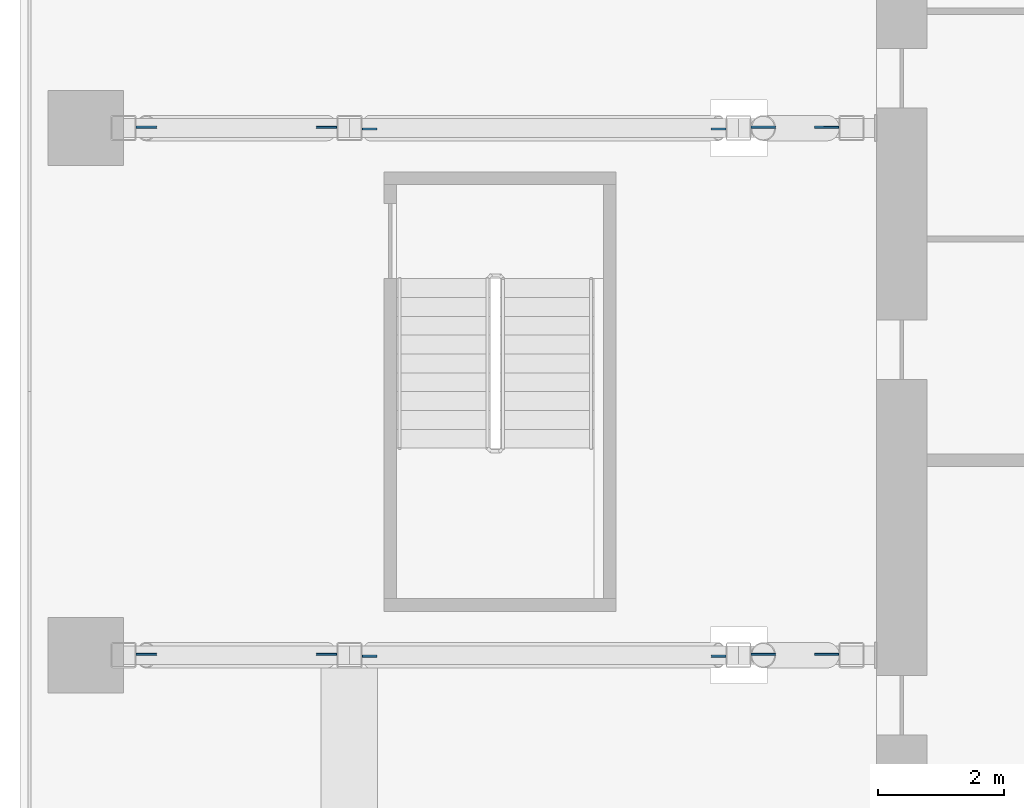
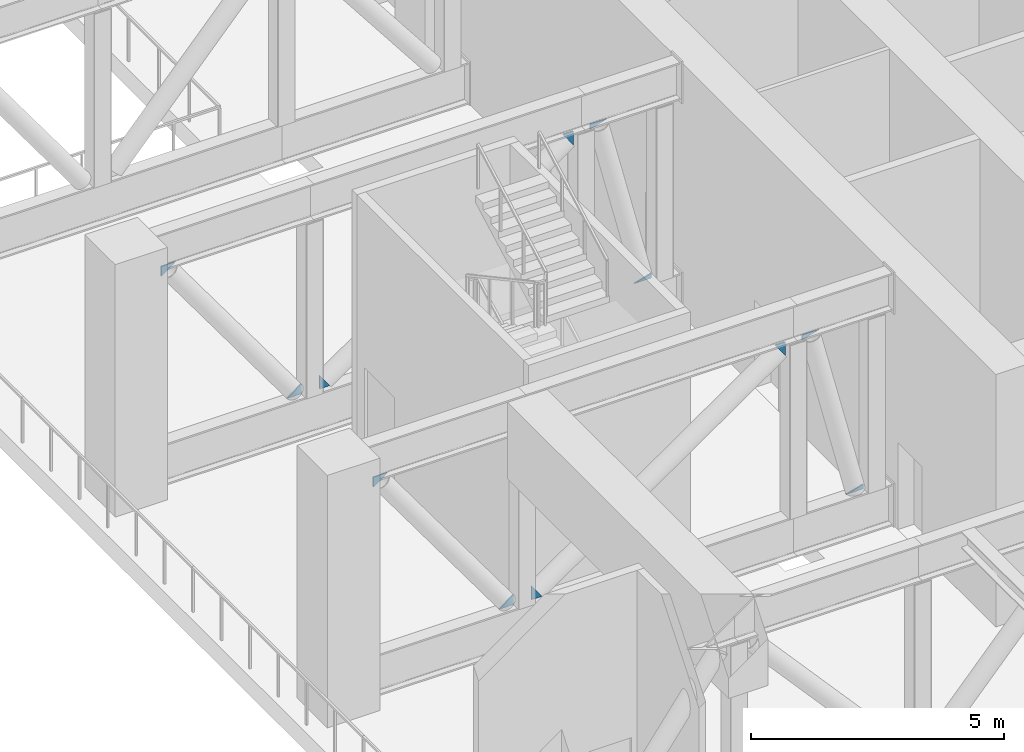
# One storey, part 12 of 23: 12 plates.
"""IFC4 building model written with IfcOpenShell, lengths in metres."""

import ifcopenshell
import ifcopenshell.guid

model = None  # the IFC model being written
_history = None  # IfcOwnerHistory: only IFC2X3 demands one
_inside = {}  # id of a spatial element -> (the spatial element, [elements in it])
_under = {}  # id of a project, library or spatial element -> (it, [spatial elements below it])
_declared = {}  # id of a project -> (the project, [libraries it declares])
_typed = {}  # id of a type object -> (the type object, [elements of that type])
_made_of = {}  # id of a material, layer set ... -> (it, [elements and type objects made of it])


def new_model(schema):
    """Start an empty IFC model of exactly this schema.

    Asked for "IFC4X3", IfcOpenShell would pick the latest addendum, in which some entities
    have other attributes; the version numbers below select the first issue.
    IFC2X3 requires an IfcOwnerHistory on every rooted entity: one is made here for all.
    """
    global model, _history
    if schema == "IFC4X3":
        model = ifcopenshell.file(schema_version=(4, 3, 0, 0))
    else:
        model = ifcopenshell.file(schema=schema)
    _inside.clear()
    _under.clear()
    _declared.clear()
    _typed.clear()
    _made_of.clear()
    _history = None
    if model.schema == "IFC2X3":
        org = make("IfcOrganization", Name="unknown")
        user = make(
            "IfcPersonAndOrganization",
            ThePerson=make("IfcPerson", FamilyName="unknown"),
            TheOrganization=org,
        )
        app = make(
            "IfcApplication",
            ApplicationDeveloper=org,
            Version="unknown",
            ApplicationFullName="unknown",
            ApplicationIdentifier="unknown",
        )
        _history = make(
            "IfcOwnerHistory",
            OwningUser=user,
            OwningApplication=app,
            ChangeAction="ADDED",
            CreationDate=0,
        )
    return model


def make(cls, **values):
    """One entity of the class cls with the attributes given. An attribute that is None is left unset."""
    return model.create_entity(
        cls, **{name: value for name, value in values.items() if value is not None}
    )


def rooted(cls, **values):
    """An entity with a GlobalId (a new one), such as an element, a storey or a relation."""
    return make(cls, GlobalId=ifcopenshell.guid.new(), OwnerHistory=_history, **values)


def si_unit(unit_type, name, prefix=None):
    """IfcSIUnit, for example si_unit("LENGTHUNIT", "METRE", prefix="MILLI")."""
    return make("IfcSIUnit", UnitType=unit_type, Prefix=prefix, Name=name)


def assignment(units):
    """IfcUnitAssignment: the units of a project."""
    return None if units is None else make("IfcUnitAssignment", Units=units)


def point(xyz):
    """IfcCartesianPoint."""
    return None if xyz is None else make("IfcCartesianPoint", Coordinates=xyz)


def direction(xyz):
    """IfcDirection."""
    return None if xyz is None else make("IfcDirection", DirectionRatios=xyz)


def frame(location, z_axis=None, x_axis=None):
    """IfcAxis2Placement3D, a coordinate frame: its origin and axes. An axis left out is left unset."""
    return make(
        "IfcAxis2Placement3D",
        Location=point(location),
        Axis=direction(z_axis),
        RefDirection=direction(x_axis),
    )


def origin():
    """The frame at (0, 0, 0) with its axes left unset."""
    return frame((0.0, 0.0, 0.0))


def place(relative_to, where):
    """IfcLocalPlacement: puts the frame where relative to a parent placement (None: the world)."""
    return make(
        "IfcLocalPlacement", PlacementRelTo=relative_to, RelativePlacement=where
    )


def context(
    kind, dimensions, precision=None, world=None, true_north=None, identifier=None
):
    """IfcGeometricRepresentationContext, for example the 3D "Model" context."""
    return make(
        "IfcGeometricRepresentationContext",
        ContextIdentifier=identifier,
        ContextType=kind,
        CoordinateSpaceDimension=dimensions,
        Precision=precision,
        WorldCoordinateSystem=world,
        TrueNorth=true_north,
    )


def subcontext(parent, identifier, kind, view, scale=None):
    """IfcGeometricRepresentationSubContext, for example "Body" below "Model"."""
    return make(
        "IfcGeometricRepresentationSubContext",
        ContextIdentifier=identifier,
        ContextType=kind,
        ParentContext=parent,
        TargetScale=scale,
        TargetView=view,
    )


def project(units=None, contexts=None):
    """IfcProject with its units and contexts."""
    return rooted(
        "IfcProject",
        Name="project",
        RepresentationContexts=contexts,
        UnitsInContext=assignment(units),
    )


def spatial(cls, under=None, at=None, **own):
    """A site, building, storey or space (cls), placed at a placement, below another one or the project."""
    s = rooted(cls, ObjectPlacement=at, **own)
    if under is not None:
        _under.setdefault(under.id(), (under, []))[1].append(s)
    return s


def polyline(points):
    """IfcPolyline through the points."""
    return make("IfcPolyline", Points=[point(p) for p in points])


def outline(outer, holes=None, kind="AREA"):
    """IfcArbitraryClosedProfileDef: a profile drawn as a closed curve; with holes, ...WithVoids."""
    if holes is None:
        return make("IfcArbitraryClosedProfileDef", ProfileType=kind, OuterCurve=outer)
    return make(
        "IfcArbitraryProfileDefWithVoids",
        ProfileType=kind,
        OuterCurve=outer,
        InnerCurves=holes,
    )


def extrude(swept, where, along, depth):
    """IfcExtrudedAreaSolid: the profile swept, set in the frame where, extruded along a direction by depth."""
    return make(
        "IfcExtrudedAreaSolid",
        SweptArea=swept,
        Position=where,
        ExtrudedDirection=direction(along),
        Depth=depth,
    )


def shape(context_of_items, identifier, shape_type, items):
    """IfcShapeRepresentation: the items that make up one representation, for example the "Body"."""
    return make(
        "IfcShapeRepresentation",
        ContextOfItems=context_of_items,
        RepresentationIdentifier=identifier,
        RepresentationType=shape_type,
        Items=items,
    )


def material(Name=None, Category=None):
    """IfcMaterial."""
    return make("IfcMaterial", Name=Name, Category=Category)


def layer(
    of_material, thickness, ventilated=None, Name=None, Category=None, Priority=None
):
    """IfcMaterialLayer: one layer of a wall or slab, of a material (None: an air gap)."""
    return make(
        "IfcMaterialLayer",
        Material=of_material,
        LayerThickness=thickness,
        IsVentilated=ventilated,
        Name=Name,
        Category=Category,
        Priority=Priority,
    )


def layer_set(layers, Name=None):
    """IfcMaterialLayerSet."""
    return make("IfcMaterialLayerSet", MaterialLayers=layers, LayerSetName=Name)


def made_of(thing, what):
    """Note that an element or type object is made of a material, layer set ...; save() writes the relation."""
    if what is not None:
        _made_of.setdefault(what.id(), (what, []))[1].append(thing)
    return thing


def type_object(cls, material=None, **own):
    """A type object (cls), such as IfcWallType, which elements share."""
    return made_of(rooted(cls, **own), material)


def element(
    cls,
    number,
    at=None,
    inside=None,
    cuts=None,
    type_object=None,
    material=None,
    context=None,
    identifier="Body",
    shape_type=None,
    held_by="IfcProductDefinitionShape",
    body=None,
    shapes=None,
    **own,
):
    """One element of the class cls, such as IfcWall. Its Tag is "e" and its number.

    at: its placement. inside: the storey or other place that contains it. cuts: it is an
    opening in that element (IfcRelVoidsElement). A single representation is given by context,
    identifier, shape_type and body (its items); several are given by shapes. held_by: the class
    of the entity that holds the representations. save() writes the other relations.
    """
    e = rooted(cls, Tag="e%d" % number, ObjectPlacement=at, **own)
    if body is not None:
        shapes = [shape(context, identifier, shape_type, body)]
    if shapes is not None:
        e.Representation = make(held_by, Representations=shapes)
    if inside is not None:
        _inside.setdefault(inside.id(), (inside, []))[1].append(e)
    if cuts is not None:
        rooted(
            "IfcRelVoidsElement", RelatingBuildingElement=cuts, RelatedOpeningElement=e
        )
    if type_object is not None:
        _typed.setdefault(type_object.id(), (type_object, []))[1].append(e)
    return made_of(e, material)


def aggregate(whole, parts):
    """IfcRelAggregates: a whole, such as a stair, and the parts it consists of."""
    return rooted("IfcRelAggregates", RelatingObject=whole, RelatedObjects=parts)


def save(model, path):
    """Write the relations noted so far, then the file.

    IfcRelAggregates (storeys below a building ...), IfcRelContainedInSpatialStructure (elements
    in a storey), IfcRelDefinesByType, IfcRelAssociatesMaterial and IfcRelDeclares: one each for
    every whole, place, type object, material and project.
    """
    for whole, parts in _under.values():
        aggregate(whole, parts)
    for where, things in _inside.values():
        rooted(
            "IfcRelContainedInSpatialStructure",
            RelatedElements=things,
            RelatingStructure=where,
        )
    for kind, things in _typed.values():
        rooted("IfcRelDefinesByType", RelatedObjects=things, RelatingType=kind)
    for what, things in _made_of.values():
        rooted("IfcRelAssociatesMaterial", RelatedObjects=things, RelatingMaterial=what)
    for by, libraries in _declared.values():
        rooted("IfcRelDeclares", RelatingContext=by, RelatedDefinitions=libraries)
    model.write(path)


model = new_model("IFC4")

# Units and contexts
model_context = context("Model", 3, precision=1e-05, world=origin(), true_north=direction((0.0, 1.0)))
body_context = subcontext(model_context, "Body", "Model", "MODEL_VIEW")
ifc_project = project(units=[si_unit("LENGTHUNIT", "METRE"), si_unit("AREAUNIT", "SQUARE_METRE"), si_unit("VOLUMEUNIT", "CUBIC_METRE"), si_unit("PLANEANGLEUNIT", "RADIAN"), si_unit("MASSUNIT", "GRAM", prefix="KILO")], contexts=[model_context])

# Site, building, storey
site_placement = place(None, origin())
site = spatial("IfcSite", under=ifc_project, at=site_placement, CompositionType="ELEMENT")
building_placement = place(site_placement, origin())
building = spatial("IfcBuilding", under=site, at=building_placement, Name="Vermilion Ogive Tower", CompositionType="ELEMENT")
storey_placement = place(building_placement, frame((0.0, 0.0, 121.800048828125)))
storey = spatial("IfcBuildingStorey", under=building, at=storey_placement, Name="L31", CompositionType="ELEMENT", Elevation=121.800048828125)

# Plates
ifc_material = material(Name="Steel S355", Category="steel")
ifc_layer = layer(ifc_material, 0.030029296875)
ifc_layer_set = layer_set([ifc_layer], Name="Truss gusset plate 30")
plate_type = type_object("IfcPlateType", Name="Truss gusset plate 30", PredefinedType="USERDEFINED", material=ifc_layer_set)
plate_1_placement = place(storey_placement, frame((-13.199951171875, -4.199951171875, 1.11279296875), z_axis=(0.0, -1.0, 0.0), x_axis=(-0.960517690655, 0.0, -0.278218917293)))
element("IfcPlate", 1, at=plate_1_placement, inside=storey, type_object=plate_type, Name="Gusset plate L31-TR-EWW-4.2-D0A", ObjectType="GUSSET PLATE", PredefinedType="USERDEFINED", context=body_context, shape_type="SweptSolid", body=[
    extrude(outline(polyline([(0.0, 0.0), (0.4054108536092141, 0.0), (0.03138113764389195, 0.10833964186581745), (0.0, 0.0)])), origin(), (0.0, 0.0, -1.0), 0.030029296875),
])
plate_2_placement = place(storey_placement, frame((-14.60009765625, -4.199951171875, 5.0869140625), z_axis=(0.0, -1.0, 0.0), x_axis=(0.960403379205, 0.0, 0.27861326101)))
element("IfcPlate", 2, at=plate_2_placement, inside=storey, type_object=plate_type, Name="Gusset plate L31-TR-EWW-4.2-D0B", ObjectType="GUSSET PLATE", PredefinedType="USERDEFINED", context=body_context, shape_type="SweptSolid", body=[
    extrude(outline(polyline([(0.0, 0.0), (0.405713313735262, 1.3877787807814457e-17), (0.03149363765812545, 0.10856122181936981), (0.0, 0.0)])), origin(), (0.0, 0.0, -1.0), 0.030029296875),
])
for number, where, z_axis, x_axis, name in (
    (3, (-15.0, -4.199951171875, 4.869140625), (0.0, 1.0, 0.0), (-0.578901914613, 0.0, 0.815397187423), "Gusset plate L31-TR-EWW-4.2-D1A"),
    (4, (-20.800048828125, -4.199951171875, 1.330810546875), (0.0, 1.0, 0.0), (0.578901914613, 0.0, -0.815397187423), "Gusset plate L31-TR-EWW-4.2-D1B"),
):
    element("IfcPlate", number, at=place(storey_placement, frame(where, z_axis=z_axis, x_axis=x_axis)), inside=storey, type_object=plate_type, Name=name, ObjectType="GUSSET PLATE", PredefinedType="USERDEFINED", context=body_context, shape_type="SweptSolid", body=[
        extrude(outline(polyline([(0.0, 0.0), (0.40570479267966897, 0.0), (0.26974198949171224, 0.19150685896016767), (0.0, 0.0)])), origin(), (0.0, 0.0, -1.0), 0.030029296875),
    ])
for number, where, z_axis, x_axis, name in (
    (5, (-21.199951171875, -4.199951171875, 1.2421875), (0.0, -1.0, 0.0), (-0.802233221274, 0.0, -0.59701076932), "Gusset plate L31-TR-EWW-4.2-D2A"),
    (6, (-24.39990234375, -4.199951171875, 4.957763671875), (0.0, -1.0, 0.0), (0.802233221274, 0.0, 0.59701076932), "Gusset plate L31-TR-EWW-4.2-D2B"),
):
    element("IfcPlate", number, at=place(storey_placement, frame(where, z_axis=z_axis, x_axis=x_axis)), inside=storey, type_object=plate_type, Name=name, ObjectType="GUSSET PLATE", PredefinedType="USERDEFINED", context=body_context, shape_type="SweptSolid", body=[
        extrude(outline(polyline([(0.0, 0.0), (0.4056668865048626, -2.7755575615628914e-17), (0.14458854569473698, 0.19429085827730277), (0.0, 0.0)])), origin(), (0.0, 0.0, -1.0), 0.030029296875),
    ])
plate_3_placement = place(storey_placement, frame((-13.199951171875, 4.199951171875, 1.11279296875), z_axis=(0.0, -1.0, 0.0), x_axis=(-0.960517690655, 0.0, -0.278218917293)))
element("IfcPlate", 7, at=plate_3_placement, inside=storey, type_object=plate_type, Name="Gusset plate L31-TR-EWW+4.2-D0A", ObjectType="GUSSET PLATE", PredefinedType="USERDEFINED", context=body_context, shape_type="SweptSolid", body=[
    extrude(outline(polyline([(0.0, 0.0), (0.4054108536092141, 0.0), (0.03138113764389195, 0.10833964186581745), (0.0, 0.0)])), origin(), (0.0, 0.0, -1.0), 0.030029296875),
])
plate_4_placement = place(storey_placement, frame((-14.60009765625, 4.199951171875, 5.0869140625), z_axis=(0.0, -1.0, 0.0), x_axis=(0.960403379205, 0.0, 0.27861326101)))
element("IfcPlate", 8, at=plate_4_placement, inside=storey, type_object=plate_type, Name="Gusset plate L31-TR-EWW+4.2-D0B", ObjectType="GUSSET PLATE", PredefinedType="USERDEFINED", context=body_context, shape_type="SweptSolid", body=[
    extrude(outline(polyline([(0.0, 0.0), (0.405713313735262, 1.3877787807814457e-17), (0.03149363765812545, 0.10856122181936981), (0.0, 0.0)])), origin(), (0.0, 0.0, -1.0), 0.030029296875),
])
for number, where, z_axis, x_axis, name in (
    (9, (-15.0, 4.199951171875, 4.869140625), (0.0, 1.0, 0.0), (-0.578901914613, 0.0, 0.815397187423), "Gusset plate L31-TR-EWW+4.2-D1A"),
    (10, (-20.800048828125, 4.199951171875, 1.330810546875), (0.0, 1.0, 0.0), (0.578901914613, 0.0, -0.815397187423), "Gusset plate L31-TR-EWW+4.2-D1B"),
):
    element("IfcPlate", number, at=place(storey_placement, frame(where, z_axis=z_axis, x_axis=x_axis)), inside=storey, type_object=plate_type, Name=name, ObjectType="GUSSET PLATE", PredefinedType="USERDEFINED", context=body_context, shape_type="SweptSolid", body=[
        extrude(outline(polyline([(0.0, 0.0), (0.40570479267966897, 0.0), (0.26974198949171224, 0.19150685896016767), (0.0, 0.0)])), origin(), (0.0, 0.0, -1.0), 0.030029296875),
    ])
for number, where, z_axis, x_axis, name in (
    (11, (-21.199951171875, 4.199951171875, 1.2421875), (0.0, -1.0, 0.0), (-0.802233221274, 0.0, -0.59701076932), "Gusset plate L31-TR-EWW+4.2-D2A"),
    (12, (-24.39990234375, 4.199951171875, 4.957763671875), (0.0, -1.0, 0.0), (0.802233221274, 0.0, 0.59701076932), "Gusset plate L31-TR-EWW+4.2-D2B"),
):
    element("IfcPlate", number, at=place(storey_placement, frame(where, z_axis=z_axis, x_axis=x_axis)), inside=storey, type_object=plate_type, Name=name, ObjectType="GUSSET PLATE", PredefinedType="USERDEFINED", context=body_context, shape_type="SweptSolid", body=[
        extrude(outline(polyline([(0.0, 0.0), (0.4056668865048626, -2.7755575615628914e-17), (0.14458854569473698, 0.19429085827730277), (0.0, 0.0)])), origin(), (0.0, 0.0, -1.0), 0.030029296875),
    ])

save(model, "model.ifc")
